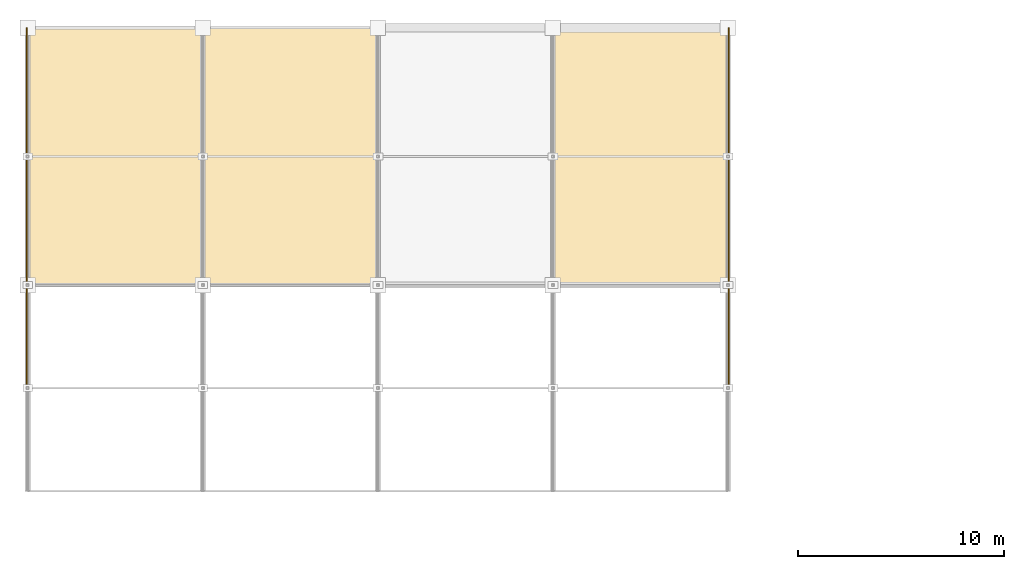
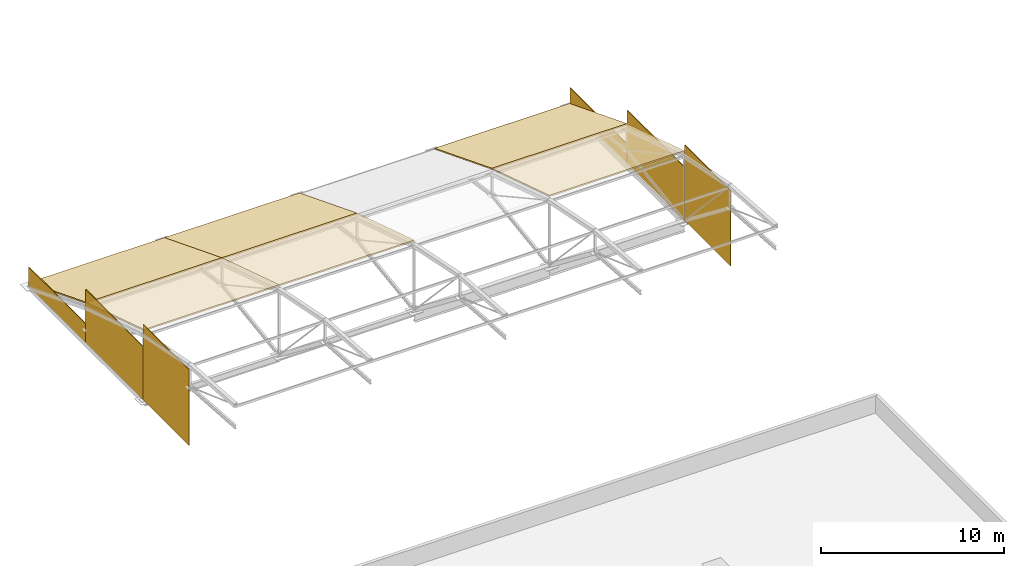
# One storey, part 64 of 66: 12 coverings.
"""IFC4 building model written with IfcOpenShell, lengths in metres."""

from ifc_helpers import new_model, si_unit, direction, frame, origin, origin_2d, place, context, subcontext, project, spatial, polyline, rectangle, outline, extrude, material, layer, layer_set, type_object, element, save


model = new_model("IFC4")

# Units and contexts
model_context = context("Model", 3, precision=1e-05, world=origin(), true_north=direction((0.0, 1.0)))
body_context = subcontext(model_context, "Body", "Model", "MODEL_VIEW")
ifc_project = project(units=[si_unit("LENGTHUNIT", "METRE"), si_unit("AREAUNIT", "SQUARE_METRE"), si_unit("VOLUMEUNIT", "CUBIC_METRE"), si_unit("PLANEANGLEUNIT", "RADIAN"), si_unit("MASSUNIT", "GRAM", prefix="KILO")], contexts=[model_context])

# Site, building, storey
site_placement = place(None, origin())
site = spatial("IfcSite", under=ifc_project, at=site_placement, CompositionType="ELEMENT")
building_placement = place(site_placement, origin())
building = spatial("IfcBuilding", under=site, at=building_placement, Name="Solvikara Media Centre", CompositionType="ELEMENT")
storey_placement = place(building_placement, frame((0.0, 0.0, 19.800048828125)))
storey = spatial("IfcBuildingStorey", under=building, at=storey_placement, Name="L04", CompositionType="ELEMENT", Elevation=19.800048828125)

# Coverings
ifc_material_1 = material(Name="Insulated standing-seam aluminium-zinc acoustic roofing", Category="aluminium")
ifc_layer_1 = layer(ifc_material_1, 0.080078125)
ifc_layer_set_1 = layer_set([ifc_layer_1], Name="Insulated standing-seam aluminium-zinc acoustic roofing")
covering_type_1 = type_object("IfcCoveringType", Name="CV-03", PredefinedType="ROOFING", material=ifc_layer_set_1)
covering_1_placement = place(storey_placement, frame((0.0, 114.0, 0.070068359375), z_axis=(0.0, 0.365080730587, 0.930975864432), x_axis=(1.0, 0.0, 0.0)))
element("IfcCovering", 1, at=covering_1_placement, inside=storey, type_object=covering_type_1, Name="CV-AM-00-00", PredefinedType="ROOFING", context=body_context, shape_type="SweptSolid", body=[
    extrude(outline(polyline([(0.0, 0.0), (8.5, 0.0), (8.5, -6.713385640578721), (0.0, -6.713385640578721), (0.0, 0.0)])), origin(), (0.0, 0.0, -1.0), 0.080078125),
])
covering_2_placement = place(storey_placement, frame((0.0, 107.75, 2.52099609375), z_axis=(0.0, 0.303661410293, 0.952780010233), x_axis=(1.0, 0.0, 0.0)))
element("IfcCovering", 2, at=covering_2_placement, inside=storey, type_object=covering_type_1, Name="CV-AM-00-01", PredefinedType="ROOFING", context=body_context, shape_type="SweptSolid", body=[
    extrude(outline(polyline([(0.0, 0.0), (8.5, 0.0), (8.5, -6.559751393685447), (0.0, -6.559751393685447), (0.0, 0.0)])), origin(), (0.0, 0.0, -1.0), 0.080078125),
])
covering_3_placement = place(storey_placement, frame((8.5, 114.0, 0.070068359375), z_axis=(0.0, 0.365080730587, 0.930975864432), x_axis=(1.0, 0.0, 0.0)))
element("IfcCovering", 3, at=covering_3_placement, inside=storey, type_object=covering_type_1, Name="CV-AM-01-00", PredefinedType="ROOFING", context=body_context, shape_type="SweptSolid", body=[
    extrude(outline(polyline([(0.0, 0.0), (8.5, 0.0), (8.5, -6.713385640578721), (0.0, -6.713385640578721), (0.0, 0.0)])), origin(), (0.0, 0.0, -1.0), 0.080078125),
])
covering_4_placement = place(storey_placement, frame((8.5, 107.75, 2.52099609375), z_axis=(0.0, 0.303661410293, 0.952780010233), x_axis=(1.0, 0.0, 0.0)))
element("IfcCovering", 4, at=covering_4_placement, inside=storey, type_object=covering_type_1, Name="CV-AM-01-01", PredefinedType="ROOFING", context=body_context, shape_type="SweptSolid", body=[
    extrude(outline(polyline([(0.0, 0.0), (8.5, 0.0), (8.5, -6.559751393685447), (0.0, -6.559751393685447), (0.0, 0.0)])), origin(), (0.0, 0.0, -1.0), 0.080078125),
])
covering_5_placement = place(storey_placement, frame((25.5, 114.0, 0.070068359375), z_axis=(0.0, 0.365080730587, 0.930975864432), x_axis=(1.0, 0.0, 0.0)))
element("IfcCovering", 5, at=covering_5_placement, inside=storey, type_object=covering_type_1, Name="CV-AM-03-00", PredefinedType="ROOFING", context=body_context, shape_type="SweptSolid", body=[
    extrude(outline(polyline([(0.0, 0.0), (8.5, 0.0), (8.5, -6.713385640578721), (0.0, -6.713385640578721), (0.0, 0.0)])), origin(), (0.0, 0.0, -1.0), 0.080078125),
])
covering_6_placement = place(storey_placement, frame((25.5, 107.75, 2.52099609375), z_axis=(0.0, 0.303661410293, 0.952780010233), x_axis=(1.0, 0.0, 0.0)))
element("IfcCovering", 6, at=covering_6_placement, inside=storey, type_object=covering_type_1, Name="CV-AM-03-01", PredefinedType="ROOFING", context=body_context, shape_type="SweptSolid", body=[
    extrude(outline(polyline([(0.0, 0.0), (8.5, 0.0), (8.5, -6.559751393685447), (0.0, -6.559751393685447), (0.0, 0.0)])), origin(), (0.0, 0.0, -1.0), 0.080078125),
])
ifc_material_2 = material(Name="GFRC white mineral architectural rainscreen panel")
ifc_layer_2 = layer(ifc_material_2, 0.050048828125)
ifc_layer_set_2 = layer_set([ifc_layer_2], Name="GFRC white mineral architectural rainscreen panel")
covering_type_2 = type_object("IfcCoveringType", Name="CV-04", PredefinedType="CLADDING", material=ifc_layer_set_2)
covering_7_placement = place(storey_placement, frame((-0.0400390625, 110.875, -0.150390625), z_axis=(0.0, 0.0, 1.0), x_axis=(0.0, -1.0, 0.0)))
element("IfcCovering", 7, at=covering_7_placement, inside=storey, type_object=covering_type_2, Name="TYM-AM-W-00", PredefinedType="CLADDING", context=body_context, shape_type="SweptSolid", body=[
    extrude(rectangle(XDim=6.25, YDim=0.050048828125, at=origin_2d()), origin(), (0.0, 0.0, 1.0), 1.264892578125),
])
covering_8_placement = place(storey_placement, frame((-0.0400390625, 104.625, -0.150634765625), z_axis=(0.0, 0.0, 1.0), x_axis=(0.0, -1.0, 0.0)))
element("IfcCovering", 8, at=covering_8_placement, inside=storey, type_object=covering_type_2, Name="TYM-AM-W-01", PredefinedType="CLADDING", context=body_context, shape_type="SweptSolid", body=[
    extrude(rectangle(XDim=6.25, YDim=0.050048828125, at=origin_2d()), origin(), (0.0, 0.0, 1.0), 3.541015625),
])
covering_9_placement = place(storey_placement, frame((-0.0400390625, 99.0, -0.150390625), z_axis=(0.0, 0.0, 1.0), x_axis=(0.0, -1.0, 0.0)))
element("IfcCovering", 9, at=covering_9_placement, inside=storey, type_object=covering_type_2, Name="TYM-AM-W-02", PredefinedType="CLADDING", context=body_context, shape_type="SweptSolid", body=[
    extrude(rectangle(XDim=5.0, YDim=0.050048828125, at=origin_2d()), origin(), (0.0, 0.0, 1.0), 5.032958984375),
])
covering_10_placement = place(storey_placement, frame((34.0400390625, 110.875, -0.150390625), z_axis=(0.0, 0.0, 1.0), x_axis=(0.0, -1.0, 0.0)))
element("IfcCovering", 10, at=covering_10_placement, inside=storey, type_object=covering_type_2, Name="TYM-AM-E-00", PredefinedType="CLADDING", context=body_context, shape_type="SweptSolid", body=[
    extrude(rectangle(XDim=6.25, YDim=0.050048828125, at=origin_2d()), origin(), (0.0, 0.0, 1.0), 1.264892578125),
])
covering_11_placement = place(storey_placement, frame((34.0400390625, 104.625, -0.150634765625), z_axis=(0.0, 0.0, 1.0), x_axis=(0.0, -1.0, 0.0)))
element("IfcCovering", 11, at=covering_11_placement, inside=storey, type_object=covering_type_2, Name="TYM-AM-E-01", PredefinedType="CLADDING", context=body_context, shape_type="SweptSolid", body=[
    extrude(rectangle(XDim=6.25, YDim=0.050048828125, at=origin_2d()), origin(), (0.0, 0.0, 1.0), 3.541015625),
])
covering_12_placement = place(storey_placement, frame((34.0400390625, 99.0, -0.150390625), z_axis=(0.0, 0.0, 1.0), x_axis=(0.0, -1.0, 0.0)))
element("IfcCovering", 12, at=covering_12_placement, inside=storey, type_object=covering_type_2, Name="TYM-AM-E-02", PredefinedType="CLADDING", context=body_context, shape_type="SweptSolid", body=[
    extrude(rectangle(XDim=5.0, YDim=0.050048828125, at=origin_2d()), origin(), (0.0, 0.0, 1.0), 5.032958984375),
])

save(model, "model.ifc")
